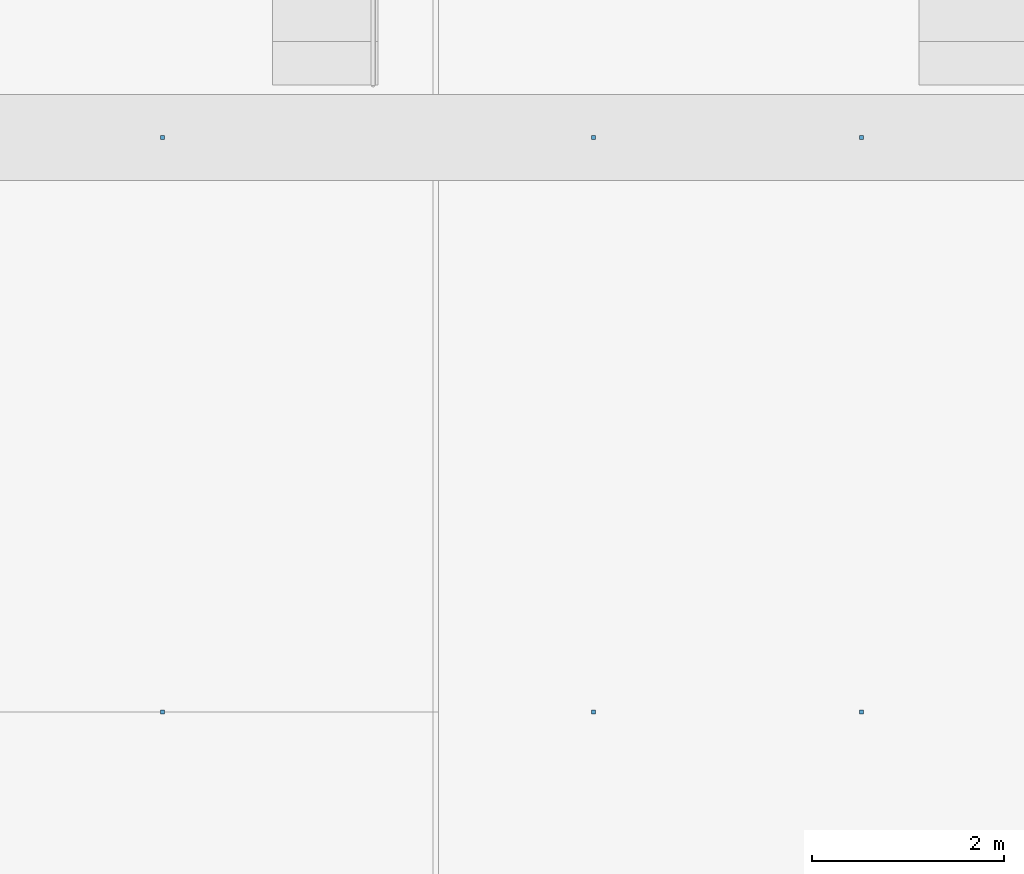
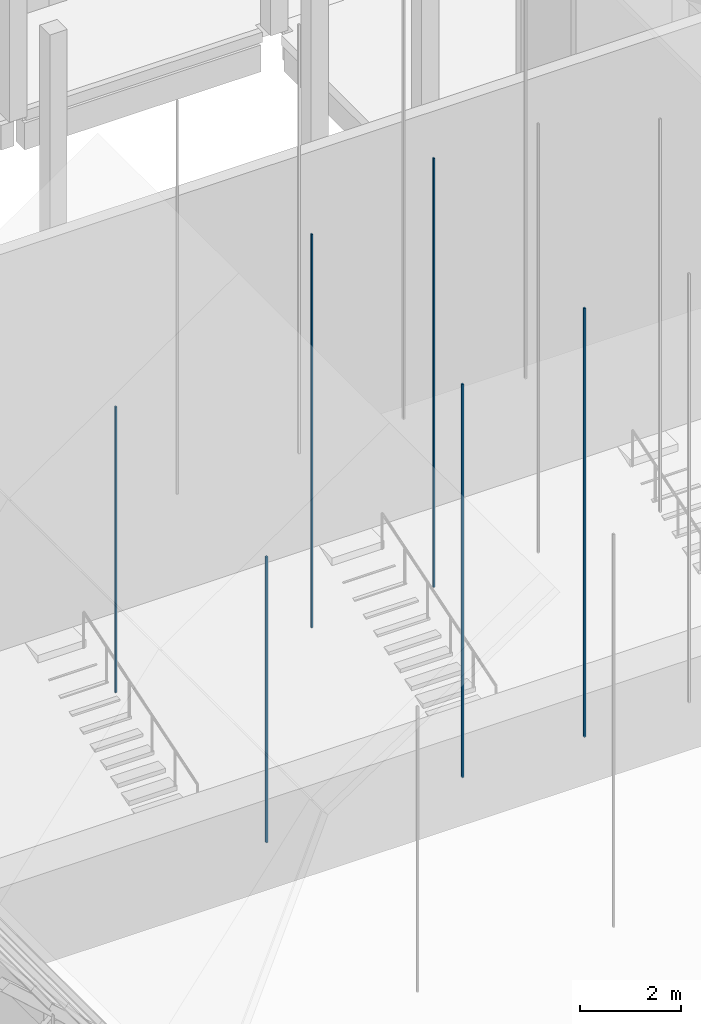
# One storey, part 73 of 118: 6 discrete accessories.
"""IFC4 building model written with IfcOpenShell, lengths in metres."""

from ifc_helpers import new_model, si_unit, direction, frame, origin, origin_2d, place, context, subcontext, project, spatial, rectangle, extrude, element, save


model = new_model("IFC4")

# Units and contexts
model_context = context("Model", 3, precision=1e-05, world=origin(), true_north=direction((0.0, 1.0)))
body_context = subcontext(model_context, "Body", "Model", "MODEL_VIEW")
ifc_project = project(units=[si_unit("LENGTHUNIT", "METRE"), si_unit("AREAUNIT", "SQUARE_METRE"), si_unit("VOLUMEUNIT", "CUBIC_METRE"), si_unit("PLANEANGLEUNIT", "RADIAN"), si_unit("MASSUNIT", "GRAM", prefix="KILO")], contexts=[model_context])

# Site, building, storey
site_placement = place(None, origin())
site = spatial("IfcSite", under=ifc_project, at=site_placement, CompositionType="ELEMENT")
building_placement = place(site_placement, origin())
building = spatial("IfcBuilding", under=site, at=building_placement, Name="Saffron Lane Theatres", CompositionType="ELEMENT")
storey_placement = place(building_placement, frame((0.0, 0.0, 16.5)))
storey = spatial("IfcBuildingStorey", under=building, at=storey_placement, Name="L03", CompositionType="ELEMENT", Elevation=16.5)

# Discrete accessories
discrete_accessory_1_placement = place(storey_placement, frame((24.5, 78.0, 4.56005859375), z_axis=(0.0, 0.0, 1.0), x_axis=(1.0, 0.0, 0.0)))
element("IfcDiscreteAccessory", 1, at=discrete_accessory_1_placement, inside=storey, Name="Ceiling hanger", PredefinedType="BRACKET", context=body_context, shape_type="SweptSolid", body=[
    extrude(rectangle(XDim=0.0400390625, YDim=0.0400390625, at=origin_2d()), origin(), (0.0, 0.0, 1.0), 6.9375),
])
discrete_accessory_2_placement = place(storey_placement, frame((29.0, 78.0, 4.56005859375), z_axis=(0.0, 0.0, 1.0), x_axis=(1.0, 0.0, 0.0)))
element("IfcDiscreteAccessory", 2, at=discrete_accessory_2_placement, inside=storey, Name="Ceiling hanger", PredefinedType="BRACKET", context=body_context, shape_type="SweptSolid", body=[
    extrude(rectangle(XDim=0.0400390625, YDim=0.0400390625, at=origin_2d()), origin(), (0.0, 0.0, 1.0), 9.54833984375),
])
discrete_accessory_3_placement = place(storey_placement, frame((31.800048828125, 78.0, 4.56005859375), z_axis=(0.0, 0.0, 1.0), x_axis=(1.0, 0.0, 0.0)))
element("IfcDiscreteAccessory", 3, at=discrete_accessory_3_placement, inside=storey, Name="Ceiling hanger", PredefinedType="BRACKET", context=body_context, shape_type="SweptSolid", body=[
    extrude(rectangle(XDim=0.0400390625, YDim=0.0400390625, at=origin_2d()), origin(), (0.0, 0.0, 1.0), 10.412841796875),
])
discrete_accessory_4_placement = place(storey_placement, frame((24.5, 84.0, 4.56005859375), z_axis=(0.0, 0.0, 1.0), x_axis=(1.0, 0.0, 0.0)))
element("IfcDiscreteAccessory", 4, at=discrete_accessory_4_placement, inside=storey, Name="Ceiling hanger", PredefinedType="BRACKET", context=body_context, shape_type="SweptSolid", body=[
    extrude(rectangle(XDim=0.0400390625, YDim=0.0400390625, at=origin_2d()), origin(), (0.0, 0.0, 1.0), 6.9375),
])
discrete_accessory_5_placement = place(storey_placement, frame((29.0, 84.0, 4.56005859375), z_axis=(0.0, 0.0, 1.0), x_axis=(1.0, 0.0, 0.0)))
element("IfcDiscreteAccessory", 5, at=discrete_accessory_5_placement, inside=storey, Name="Ceiling hanger", PredefinedType="BRACKET", context=body_context, shape_type="SweptSolid", body=[
    extrude(rectangle(XDim=0.0400390625, YDim=0.0400390625, at=origin_2d()), origin(), (0.0, 0.0, 1.0), 9.54833984375),
])
discrete_accessory_6_placement = place(storey_placement, frame((31.800048828125, 84.0, 4.56005859375), z_axis=(0.0, 0.0, 1.0), x_axis=(1.0, 0.0, 0.0)))
element("IfcDiscreteAccessory", 6, at=discrete_accessory_6_placement, inside=storey, Name="Ceiling hanger", PredefinedType="BRACKET", context=body_context, shape_type="SweptSolid", body=[
    extrude(rectangle(XDim=0.0400390625, YDim=0.0400390625, at=origin_2d()), origin(), (0.0, 0.0, 1.0), 10.412841796875),
])

save(model, "model.ifc")
